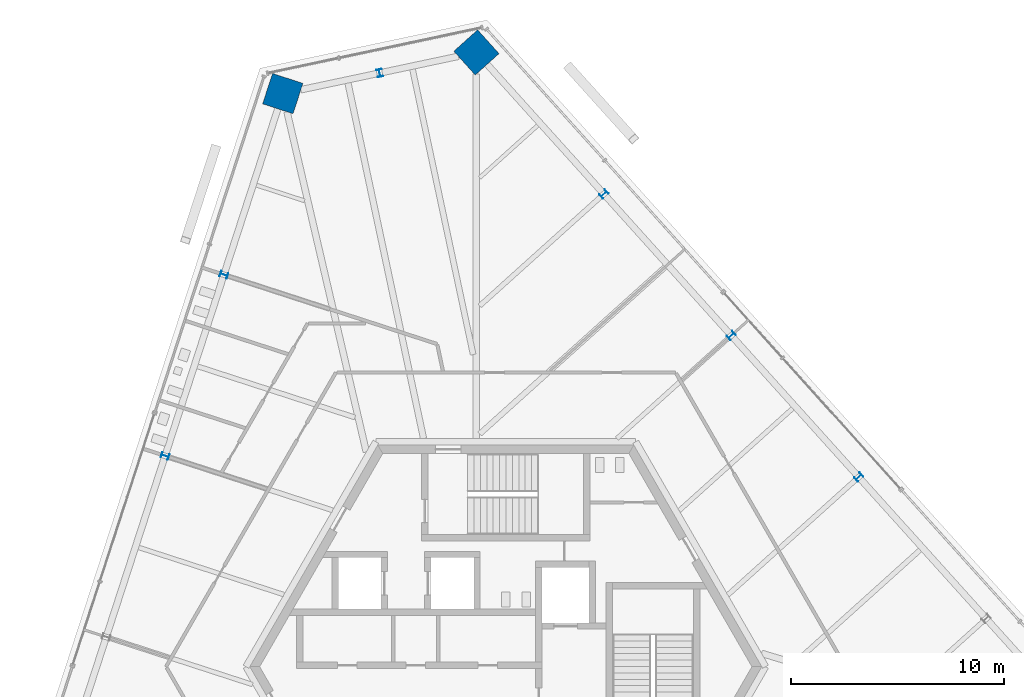
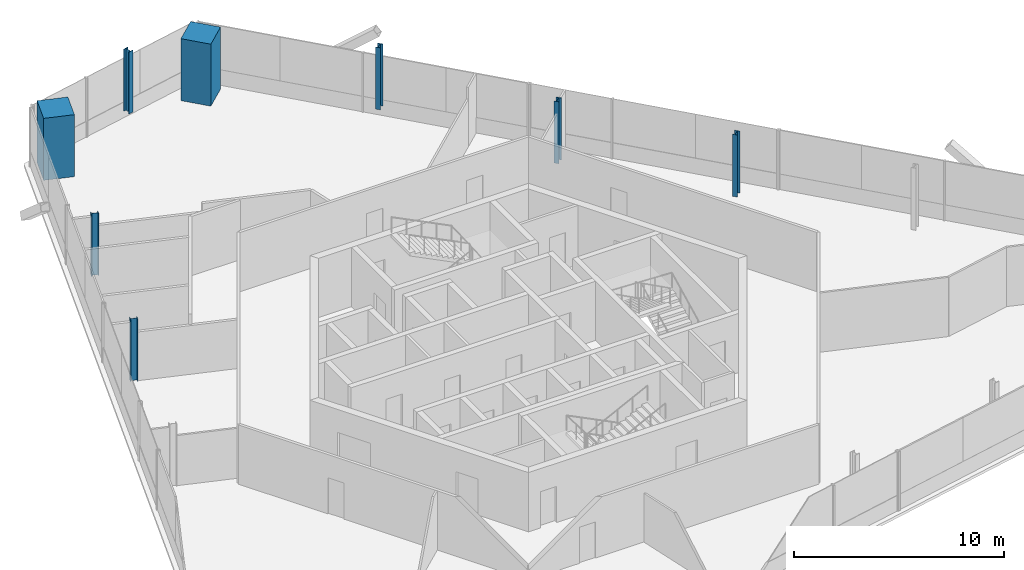
# One storey, part 3 of 14: 8 columns.
"""IFC4 building model written with IfcOpenShell, lengths in metres."""

from ifc_helpers import new_model, si_unit, direction, frame, origin, origin_2d, place, context, subcontext, project, spatial, rectangle, i_section, extrude, source, transform, mapped, material, material_profile, profile_set, type_object, element, save


model = new_model("IFC4")

# Units and contexts
model_context = context("Model", 3, precision=1e-05, world=origin(), true_north=direction((0.0, 1.0)))
body_context = subcontext(model_context, "Body", "Model", "MODEL_VIEW")
ifc_project = project(units=[si_unit("LENGTHUNIT", "METRE"), si_unit("AREAUNIT", "SQUARE_METRE"), si_unit("VOLUMEUNIT", "CUBIC_METRE"), si_unit("PLANEANGLEUNIT", "RADIAN"), si_unit("MASSUNIT", "GRAM", prefix="KILO")], contexts=[model_context])

# Site, building, storey
site_placement = place(None, origin())
site = spatial("IfcSite", under=ifc_project, at=site_placement, CompositionType="ELEMENT")
building_placement = place(site_placement, origin())
building = spatial("IfcBuilding", under=site, at=building_placement, Name="Triune Harvest Tower", CompositionType="ELEMENT")
storey_placement = place(building_placement, frame((0.0, 0.0, 263.10009765625)))
storey = spatial("IfcBuildingStorey", under=building, at=storey_placement, Name="L69", CompositionType="ELEMENT", Elevation=263.10009765625)

# Columns
ifc_material_1 = material(Name="Concrete 70 MPa", Category="concrete")
ifc_material_profile_1 = material_profile(ifc_material_1, rectangle(XDim=1.5, YDim=1.5, at=origin_2d()), Name="Composite 1500x1500")
ifc_profile_set_1 = profile_set([ifc_material_profile_1], Name="Concrete 70 MPa")
column_type_1 = type_object("IfcColumnType", Name="MC-7 Mega column Composite 1500x1500", PredefinedType="COLUMN", material=ifc_profile_set_1)
shared_shape_1 = source(origin(), body_context, "Body", "SweptSolid", [
    extrude(rectangle(XDim=1.5, YDim=1.5, at=origin_2d()), origin(), (0.0, 0.0, 1.0), 3.599853515625),
])
for number, where, z_axis, x_axis, name in (
    (1, (-1.376708984375, 28.794921875, 0.0), (0.0, 0.0, 1.0), (-0.669130606359, 0.743144825477, 0.0), "col/L69/M5"),
    (2, (-10.4541015625, 26.865478515625, 0.0), (0.0, 0.0, 1.0), (-0.309015334468, -0.95105705563, 0.0), "col/L69/M7"),
):
    element("IfcColumn", number, at=place(storey_placement, frame(where, z_axis=z_axis, x_axis=x_axis)), inside=storey, type_object=column_type_1, Name=name, PredefinedType="COLUMN", context=body_context, shape_type="MappedRepresentation", body=[
        mapped(shared_shape_1, transform((0.0, 0.0, 0.0), scale=1.0)),
    ])
ifc_material_2 = material(Name="Steel ASTM A992 Gr 50", Category="steel")
ifc_material_profile_2 = material_profile(ifc_material_2, i_section(OverallWidth=0.256591796875, OverallDepth=0.360595703125, WebThickness=0.011474609375, FlangeThickness=0.02001953125, at=origin_2d()), Name="W14x74")
ifc_profile_set_2 = profile_set([ifc_material_profile_2], Name="Steel ASTM A992 Gr 50")
column_type_2 = type_object("IfcColumnType", Name="PC-7 Perimeter column W14x74", PredefinedType="COLUMN", material=ifc_profile_set_2)
shared_shape_2 = source(origin(), body_context, "Body", "SweptSolid", [
    extrude(i_section(OverallWidth=0.256591796875, OverallDepth=0.360595703125, WebThickness=0.011474609375, FlangeThickness=0.02001953125, at=origin_2d()), origin(), (0.0, 0.0, 1.0), 3.599853515625),
])
for number, where, z_axis, x_axis, name in (
    (3, (16.545166015625, 8.890380859375, 0.0), (0.0, 0.0, 1.0), (-0.669130606359, 0.743144825477, 0.0), "col/L69/P2"),
    (4, (10.5712890625, 15.525146484375, 0.0), (0.0, 0.0, 1.0), (-0.669130606359, 0.743144825477, 0.0), "col/L69/P3"),
    (5, (4.59716796875, 22.159912109375, 1.199951171875), (0.0, 0.0, 1.0), (-0.669130606359, 0.743144825477, 0.0), "col/L69/P4"),
    (6, (-5.91552734375, 27.830078125, 1.199951171875), (0.0, 0.0, 1.0), (-0.978147600734, -0.207911690818, 0.0), "col/L69/P6"),
    (7, (-13.212890625, 18.37451171875, 0.0), (0.0, 0.0, 1.0), (-0.309015334468, -0.95105705563, 0.0), "col/L69/P8"),
    (8, (-15.971923828125, 9.88330078125, 0.0), (0.0, 0.0, 1.0), (-0.309015334468, -0.95105705563, 0.0), "col/L69/P9"),
):
    element("IfcColumn", number, at=place(storey_placement, frame(where, z_axis=z_axis, x_axis=x_axis)), inside=storey, type_object=column_type_2, Name=name, PredefinedType="COLUMN", context=body_context, shape_type="MappedRepresentation", body=[
        mapped(shared_shape_2, transform((0.0, 0.0, 0.0), scale=1.0)),
    ])

save(model, "model.ifc")
